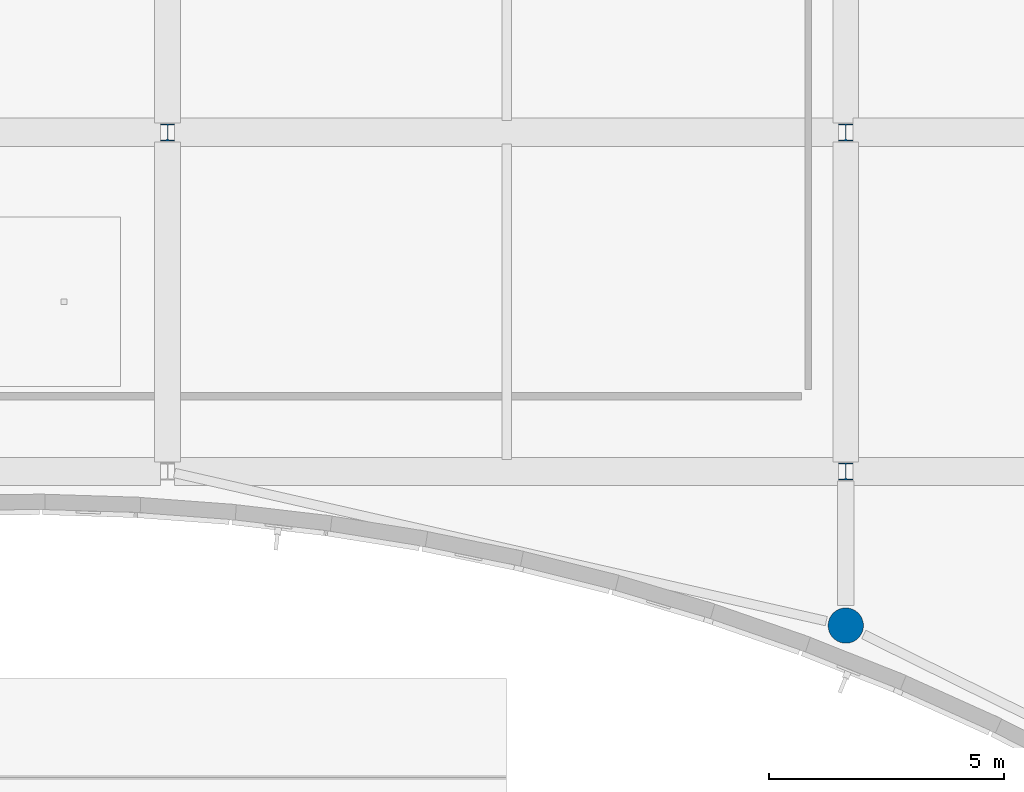
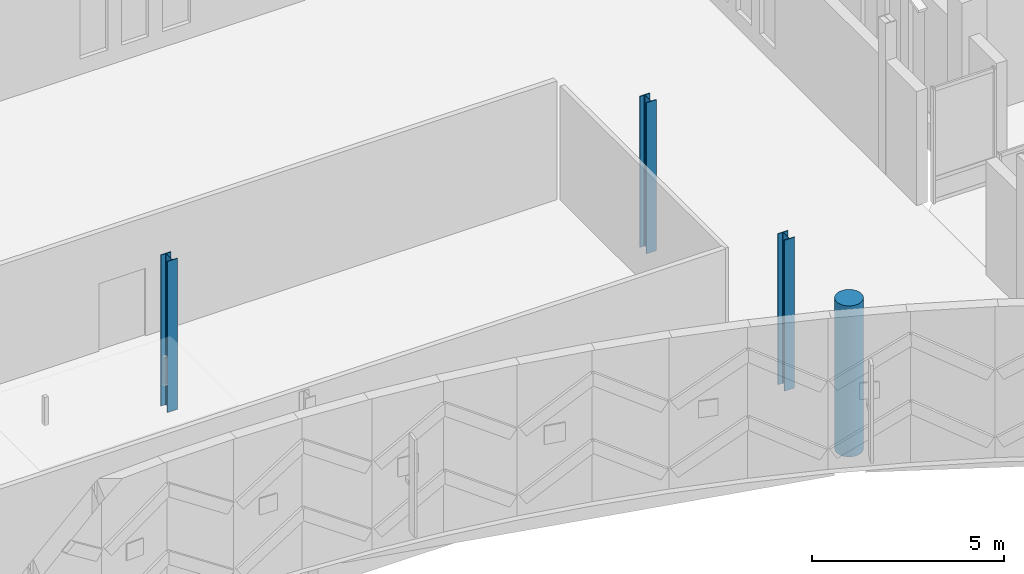
# One storey, part 6 of 193: 4 columns.
"""IFC4 building model written with IfcOpenShell, lengths in metres."""

from ifc_helpers import new_model, si_unit, direction, frame, origin, origin_2d, place, context, subcontext, project, spatial, circle, i_section, extrude, material, material_profile, profile_set, type_object, element, save


model = new_model("IFC4")

# Units and contexts
model_context = context("Model", 3, precision=1e-05, world=origin(), true_north=direction((0.0, 1.0)))
body_context = subcontext(model_context, "Body", "Model", "MODEL_VIEW")
ifc_project = project(units=[si_unit("LENGTHUNIT", "METRE"), si_unit("AREAUNIT", "SQUARE_METRE"), si_unit("VOLUMEUNIT", "CUBIC_METRE"), si_unit("PLANEANGLEUNIT", "RADIAN"), si_unit("MASSUNIT", "GRAM", prefix="KILO")], contexts=[model_context])

# Site, building, storey
site_placement = place(None, origin())
site = spatial("IfcSite", under=ifc_project, at=site_placement, CompositionType="ELEMENT")
building_placement = place(site_placement, origin())
building = spatial("IfcBuilding", under=site, at=building_placement, Name="Cendralis Lancet Convention Centre", CompositionType="ELEMENT")
storey_placement = place(building_placement, frame((0.0, 0.0, 10.199951171875)))
storey = spatial("IfcBuildingStorey", under=building, at=storey_placement, Name="L02", CompositionType="ELEMENT", Elevation=10.199951171875)

# Columns
ifc_material_1 = material(Name="Concrete G40 (C40/50)", Category="concrete")
ifc_material_profile_1 = material_profile(ifc_material_1, circle(Radius=0.375, at=origin_2d()), Name="RC D750")
ifc_profile_set_1 = profile_set([ifc_material_profile_1], Name="Concrete G40 (C40/50)")
column_type_1 = type_object("IfcColumnType", Name="STR-COL-C18", PredefinedType="COLUMN", material=ifc_profile_set_1)
column_placement = place(storey_placement, frame((122.39990234375, 11.126953125, 0.0), z_axis=(0.0, 0.0, 1.0), x_axis=(1.0, 0.0, 0.0)))
element("IfcColumn", 1, at=column_placement, inside=storey, type_object=column_type_1, Name="L02 Column C18 at 122.4,11.1", PredefinedType="COLUMN", context=body_context, shape_type="SweptSolid", body=[
    extrude(circle(Radius=0.375, at=origin_2d()), origin(), (0.0, 0.0, 1.0), 4.800048828125),
])
ifc_material_2 = material(Name="Steel S355", Category="steel")
ifc_material_profile_2 = material_profile(ifc_material_2, i_section(OverallWidth=0.300048828125, OverallDepth=0.360107421875, WebThickness=0.012451171875, FlangeThickness=0.0224609375, FilletRadius=0.027099609375, at=origin_2d()), Name="HEB 360")
ifc_profile_set_2 = profile_set([ifc_material_profile_2], Name="Steel S355")
column_type_2 = type_object("IfcColumnType", Name="STR-COL-C26-INT", PredefinedType="COLUMN", material=ifc_profile_set_2)
for number, where, z_axis, x_axis, name in (
    (2, (108.0, 21.60009765625, 0.0), (0.0, 0.0, 1.0), (1.0, 0.0, 0.0), "L02 Column C26 at 108.0,21.6"),
    (3, (122.39990234375, 14.39990234375, 0.0), (0.0, 0.0, 1.0), (1.0, 0.0, 0.0), "L02 Column C26 at 122.4,14.4"),
    (4, (122.39990234375, 21.60009765625, 0.0), (0.0, 0.0, 1.0), (1.0, 0.0, 0.0), "L02 Column C26 at 122.4,21.6"),
):
    element("IfcColumn", number, at=place(storey_placement, frame(where, z_axis=z_axis, x_axis=x_axis)), inside=storey, type_object=column_type_2, Name=name, PredefinedType="COLUMN", context=body_context, shape_type="SweptSolid", body=[
        extrude(i_section(OverallWidth=0.300048828125, OverallDepth=0.360107421875, WebThickness=0.012451171875, FlangeThickness=0.0224609375, FilletRadius=0.027099609375, at=origin_2d()), origin(), (0.0, 0.0, 1.0), 4.800048828125),
    ])

save(model, "model.ifc")
